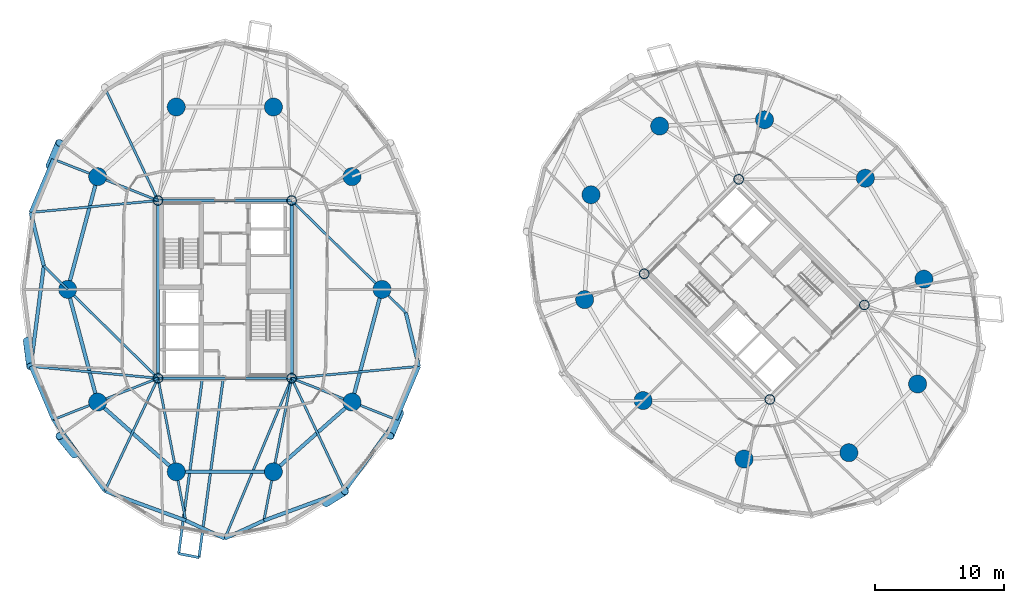
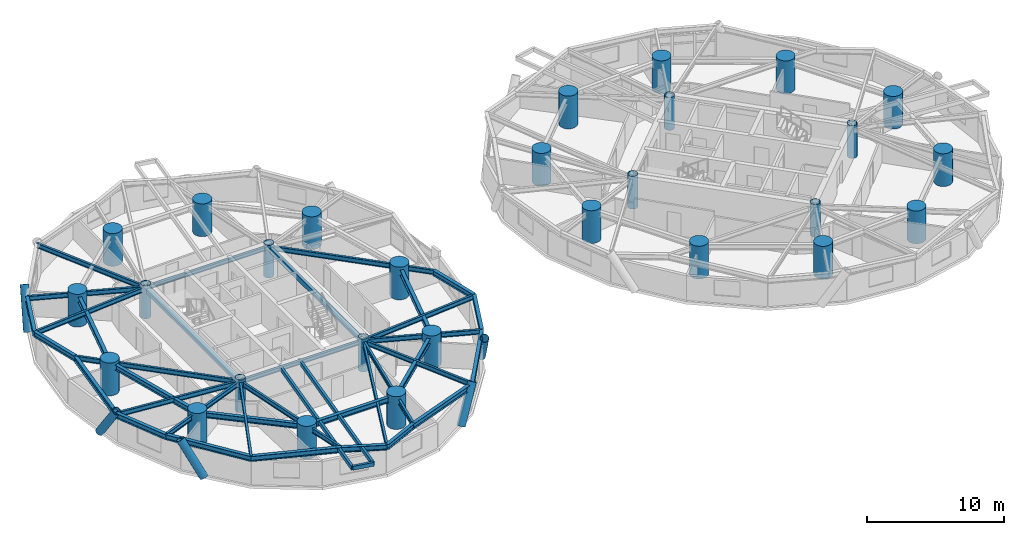
# One storey, part 1 of 17: 40 beams, 28 columns, 5 members.
"""IFC4 building model written with IfcOpenShell, lengths in metres."""

from ifc_helpers import new_model, si_unit, direction, frame, origin, origin_2d, place, context, subcontext, project, spatial, hollow_rectangle, circle, hollow_circle, i_section, extrude, material, material_profile, profile_set, type_object, element, save


model = new_model("IFC4")

# Units and contexts
model_context = context("Model", 3, precision=1e-05, world=origin(), true_north=direction((0.0, 1.0)))
body_context = subcontext(model_context, "Body", "Model", "MODEL_VIEW")
ifc_project = project(units=[si_unit("LENGTHUNIT", "METRE"), si_unit("AREAUNIT", "SQUARE_METRE"), si_unit("VOLUMEUNIT", "CUBIC_METRE"), si_unit("PLANEANGLEUNIT", "RADIAN"), si_unit("MASSUNIT", "GRAM", prefix="KILO")], contexts=[model_context])

# Site, building, storey
site_placement = place(None, origin())
site = spatial("IfcSite", under=ifc_project, at=site_placement, CompositionType="ELEMENT")
building_placement = place(site_placement, origin())
building = spatial("IfcBuilding", under=site, at=building_placement, Name="Cununo Teusaquillo Station Towers", CompositionType="ELEMENT")
storey_placement = place(building_placement, frame((0.0, 0.0, 81.7900390625)))
storey = spatial("IfcBuildingStorey", under=building, at=storey_placement, Name="L25", CompositionType="ELEMENT", Elevation=81.7900390625)

# Columns
ifc_material_1 = material(Name="Steel EN 10025-2 S355J2", Category="steel")
ifc_material_profile_1 = material_profile(ifc_material_1, hollow_circle(Radius=0.3798828125, WallThickness=0.031982421875, at=origin_2d()), Name="CHS 760x32")
ifc_profile_set_1 = profile_set([ifc_material_profile_1], Name="Steel EN 10025-2 S355J2")
column_type_1 = type_object("IfcColumnType", Name="COL-CORE-Z2", PredefinedType="COLUMN", material=ifc_profile_set_1)
for number, where, z_axis, x_axis, name in (
    (1, (11.324951171875, 17.6201171875, 0.0), (0.0, 0.0, 1.0), (1.0, 0.0, 0.0), "L25 Tower A Core Column 1"),
    (2, (11.324951171875, 31.3798828125, 0.0), (0.0, 0.0, 1.0), (1.0, 0.0, 0.0), "L25 Tower A Core Column 2"),
    (3, (21.675048828125, 17.6201171875, 0.0), (0.0, 0.0, 1.0), (1.0, 0.0, 0.0), "L25 Tower A Core Column 3"),
    (4, (21.675048828125, 31.3798828125, 0.0), (0.0, 0.0, 1.0), (1.0, 0.0, 0.0), "L25 Tower A Core Column 4"),
    (5, (58.70556640625, 15.975830078125, 0.0), (0.0, 0.0, 1.0), (0.707106781187, 0.707106781187, 0.0), "L25 Tower B Core Column 1"),
    (6, (48.975830078125, 25.70556640625, 0.0), (0.0, 0.0, 1.0), (0.707106781187, 0.707106781187, 0.0), "L25 Tower B Core Column 2"),
    (7, (66.024169921875, 23.29443359375, 0.0), (0.0, 0.0, 1.0), (0.707106781187, 0.707106781187, 0.0), "L25 Tower B Core Column 3"),
    (8, (56.29443359375, 33.024169921875, 0.0), (0.0, 0.0, 1.0), (0.707106781187, 0.707106781187, 0.0), "L25 Tower B Core Column 4"),
):
    element("IfcColumn", number, at=place(storey_placement, frame(where, z_axis=z_axis, x_axis=x_axis)), inside=storey, type_object=column_type_1, Name=name, PredefinedType="COLUMN", context=body_context, shape_type="SweptSolid", body=[
        extrude(hollow_circle(Radius=0.3798828125, WallThickness=0.031982421875, at=origin_2d()), origin(), (0.0, 0.0, 1.0), 2.909912109375),
    ])
ifc_material_2 = material(Name="Concrete C60/75", Category="concrete")
ifc_material_profile_2 = material_profile(ifc_material_2, circle(Radius=0.699951171875, at=origin_2d()), Name="RC-CIRC-1400")
ifc_profile_set_2 = profile_set([ifc_material_profile_2], Name="Concrete C60/75")
column_type_2 = type_object("IfcColumnType", Name="COL-MEGA-Z2", PredefinedType="USERDEFINED", material=ifc_profile_set_2)
for number, where, z_axis, x_axis, name in (
    (9, (28.672119140625, 24.5, 0.0), (0.0, 0.0, 1.0), (1.0, 0.0, 0.0), "L25 Tower A Perimeter Column V00"),
    (10, (26.347412109375, 33.228515625, 0.0), (0.0, 0.0, 1.0), (1.0, 0.0, 0.0), "L25 Tower A Perimeter Column V02"),
    (11, (20.261474609375, 38.623291015625, 0.0), (0.0, 0.0, 1.0), (1.0, 0.0, 0.0), "L25 Tower A Perimeter Column V04"),
    (12, (12.738525390625, 38.623291015625, 0.0), (0.0, 0.0, 1.0), (1.0, 0.0, 0.0), "L25 Tower A Perimeter Column V06"),
    (13, (6.652587890625, 33.228515625, 0.0), (0.0, 0.0, 1.0), (1.0, 0.0, 0.0), "L25 Tower A Perimeter Column V08"),
    (14, (4.327880859375, 24.5, 0.0), (0.0, 0.0, 1.0), (1.0, 0.0, 0.0), "L25 Tower A Perimeter Column V10"),
    (15, (6.652587890625, 15.771484375, 0.0), (0.0, 0.0, 1.0), (1.0, 0.0, 0.0), "L25 Tower A Perimeter Column V12"),
    (16, (12.738525390625, 10.376708984375, 0.0), (0.0, 0.0, 1.0), (1.0, 0.0, 0.0), "L25 Tower A Perimeter Column V14"),
    (17, (20.261474609375, 10.376708984375, 0.0), (0.0, 0.0, 1.0), (1.0, 0.0, 0.0), "L25 Tower A Perimeter Column V16"),
    (18, (26.347412109375, 15.771484375, 0.0), (0.0, 0.0, 1.0), (1.0, 0.0, 0.0), "L25 Tower A Perimeter Column V18"),
    (19, (66.10693359375, 33.10693359375, 0.0), (0.0, 0.0, 1.0), (1.0, 0.0, 0.0), "L25 Tower B Perimeter Column V00"),
    (20, (58.291015625, 37.63525390625, 0.0), (0.0, 0.0, 1.0), (1.0, 0.0, 0.0), "L25 Tower B Perimeter Column V02"),
    (21, (50.173095703125, 37.146240234375, 0.0), (0.0, 0.0, 1.0), (1.0, 0.0, 0.0), "L25 Tower B Perimeter Column V04"),
    (22, (44.853759765625, 31.826904296875, 0.0), (0.0, 0.0, 1.0), (1.0, 0.0, 0.0), "L25 Tower B Perimeter Column V06"),
    (23, (44.36474609375, 23.708984375, 0.0), (0.0, 0.0, 1.0), (1.0, 0.0, 0.0), "L25 Tower B Perimeter Column V08"),
    (24, (48.89306640625, 15.89306640625, 0.0), (0.0, 0.0, 1.0), (1.0, 0.0, 0.0), "L25 Tower B Perimeter Column V10"),
    (25, (56.708984375, 11.36474609375, 0.0), (0.0, 0.0, 1.0), (1.0, 0.0, 0.0), "L25 Tower B Perimeter Column V12"),
    (26, (64.826904296875, 11.853759765625, 0.0), (0.0, 0.0, 1.0), (1.0, 0.0, 0.0), "L25 Tower B Perimeter Column V14"),
    (27, (70.146240234375, 17.173095703125, 0.0), (0.0, 0.0, 1.0), (1.0, 0.0, 0.0), "L25 Tower B Perimeter Column V16"),
    (28, (70.63525390625, 25.291015625, 0.0), (0.0, 0.0, 1.0), (1.0, 0.0, 0.0), "L25 Tower B Perimeter Column V18"),
):
    element("IfcColumn", number, at=place(storey_placement, frame(where, z_axis=z_axis, x_axis=x_axis)), inside=storey, type_object=column_type_2, Name=name, ObjectType="MEGA COLUMN", PredefinedType="USERDEFINED", context=body_context, shape_type="SweptSolid", body=[
        extrude(circle(Radius=0.699951171875, at=origin_2d()), origin(), (0.0, 0.0, 1.0), 2.909912109375),
    ])

# Beams
ifc_material_3 = material(Name="Steel EN 10025-2 S355J2", Category="steel")
ifc_material_profile_3 = material_profile(ifc_material_3, hollow_rectangle(XDim=0.199951171875, YDim=0.35009765625, WallThickness=0.013916015625, at=origin_2d()), Name="RHS 350x200x14")
ifc_profile_set_3 = profile_set([ifc_material_profile_3], Name="Steel EN 10025-2 S355J2")
beam_type_1 = type_object("IfcBeamType", Name="BM-BAL-CANT", PredefinedType="BEAM", material=ifc_profile_set_3)
beam_1_placement = place(storey_placement, frame((14.793701171875, 17.85009765625, 2.494873046875), z_axis=(-0.133960678738, -0.990986648019, 0.0), x_axis=(0.990986648019, -0.133960678738, 0.0)))
element("IfcBeam", 29, at=beam_1_placement, inside=storey, type_object=beam_type_1, Name="L25 Tower A Balcony Cantilever Bracket 2A", PredefinedType="BEAM", context=body_context, shape_type="SweptSolid", body=[
    extrude(hollow_rectangle(XDim=0.199951171875, YDim=0.35009765625, WallThickness=0.013916015625, at=origin_2d()), origin(), (0.0, 0.0, 1.0), 13.9345703125),
])
beam_2_placement = place(storey_placement, frame((16.40869140625, 17.85009765625, 2.494873046875), z_axis=(-0.133936551357, -0.990989909237, 0.0), x_axis=(0.990989909237, -0.133936551357, 0.0)))
element("IfcBeam", 30, at=beam_2_placement, inside=storey, type_object=beam_type_1, Name="L25 Tower A Balcony Cantilever Bracket 2B", PredefinedType="BEAM", context=body_context, shape_type="SweptSolid", body=[
    extrude(hollow_rectangle(XDim=0.199951171875, YDim=0.35009765625, WallThickness=0.013916015625, at=origin_2d()), origin(), (0.0, 0.0, 1.0), 14.24169921875),
])
ifc_material_4 = material(Name="Steel EN 10025-2 S355J2", Category="steel")
ifc_material_profile_4 = material_profile(ifc_material_4, hollow_rectangle(XDim=0.25, YDim=0.449951171875, WallThickness=0.01611328125, at=origin_2d()), Name="RHS 450x250x16")
ifc_profile_set_4 = profile_set([ifc_material_profile_4], Name="Steel EN 10025-2 S355J2")
beam_type_2 = type_object("IfcBeamType", Name="BM-COUP-1", PredefinedType="USERDEFINED", material=ifc_profile_set_4)
for number, where, z_axis, x_axis, name in (
    (31, (11.324951171875, 17.6201171875, 2.445068359375), (0.0, 1.0, 0.0), (-1.0, 0.0, 0.0), "L25 Tower A Core Beam 1"),
    (32, (21.675048828125, 17.6201171875, 2.445068359375), (0.0, 1.0, 0.0), (-1.0, 0.0, 0.0), "L25 Tower A Core Beam 2"),
):
    element("IfcBeam", number, at=place(storey_placement, frame(where, z_axis=z_axis, x_axis=x_axis)), inside=storey, type_object=beam_type_2, Name=name, ObjectType="COUPLING BEAM", PredefinedType="USERDEFINED", context=body_context, shape_type="SweptSolid", body=[
        extrude(hollow_rectangle(XDim=0.25, YDim=0.449951171875, WallThickness=0.01611328125, at=origin_2d()), origin(), (0.0, 0.0, 1.0), 13.759765625),
    ])
ifc_material_5 = material(Name="Steel ASTM A572 Grade 50", Category="steel")
ifc_material_profile_5 = material_profile(ifc_material_5, i_section(OverallWidth=0.180908203125, OverallDepth=0.4169921875, WebThickness=0.010986328125, FlangeThickness=0.018310546875, FilletRadius=0.012939453125, at=origin_2d()), Name="W16X57")
ifc_profile_set_5 = profile_set([ifc_material_profile_5], Name="Steel ASTM A572 Grade 50")
beam_type_3 = type_object("IfcBeamType", Name="BM-JOIST-1", PredefinedType="JOIST", material=ifc_profile_set_5)
beam_3_placement = place(storey_placement, frame((11.324951171875, 31.3798828125, 2.46142578125), z_axis=(-0.426319838016, 0.904572493344, 0.0), x_axis=(-0.904572493344, -0.426319838016, 0.0)))
element("IfcBeam", 33, at=beam_3_placement, inside=storey, type_object=beam_type_3, Name="L25 Tower A Radial Spandrel Joist V07", PredefinedType="JOIST", context=body_context, shape_type="SweptSolid", body=[
    extrude(i_section(OverallWidth=0.180908203125, OverallDepth=0.4169921875, WebThickness=0.010986328125, FlangeThickness=0.018310546875, FilletRadius=0.012939453125, at=origin_2d()), origin(), (0.0, 0.0, 1.0), 9.646728515625),
])
for number, where, z_axis, x_axis, name in (
    (34, (11.324951171875, 31.3798828125, 2.46142578125), (-0.995678537907, -0.09286683558, 0.0), (0.09286683558, -0.995678537907, 0.0), "L25 Tower A Radial Spandrel Joist V09"),
    (35, (11.324951171875, 17.6201171875, 2.46142578125), (-0.995678537907, 0.09286683558, 0.0), (-0.09286683558, -0.995678537907, 0.0), "L25 Tower A Radial Spandrel Joist V11"),
):
    element("IfcBeam", number, at=place(storey_placement, frame(where, z_axis=z_axis, x_axis=x_axis)), inside=storey, type_object=beam_type_3, Name=name, PredefinedType="JOIST", context=body_context, shape_type="SweptSolid", body=[
        extrude(i_section(OverallWidth=0.180908203125, OverallDepth=0.4169921875, WebThickness=0.010986328125, FlangeThickness=0.018310546875, FilletRadius=0.012939453125, at=origin_2d()), origin(), (0.0, 0.0, 1.0), 9.895263671875),
    ])
beam_4_placement = place(storey_placement, frame((11.324951171875, 17.6201171875, 2.46142578125), z_axis=(-0.426319838016, -0.904572493344, 0.0), x_axis=(0.904572493344, -0.426319838016, 0.0)))
element("IfcBeam", 36, at=beam_4_placement, inside=storey, type_object=beam_type_3, Name="L25 Tower A Radial Spandrel Joist V13", PredefinedType="JOIST", context=body_context, shape_type="SweptSolid", body=[
    extrude(i_section(OverallWidth=0.180908203125, OverallDepth=0.4169921875, WebThickness=0.010986328125, FlangeThickness=0.018310546875, FilletRadius=0.012939453125, at=origin_2d()), origin(), (0.0, 0.0, 1.0), 9.646728515625),
])
beam_5_placement = place(storey_placement, frame((21.675048828125, 17.6201171875, 2.46142578125), z_axis=(-0.38487837995, -0.922967297713, 0.0), x_axis=(0.922967297713, -0.38487837995, 0.0)))
element("IfcBeam", 37, at=beam_5_placement, inside=storey, type_object=beam_type_3, Name="L25 Tower A Radial Spandrel Joist V15", PredefinedType="JOIST", context=body_context, shape_type="SweptSolid", body=[
    extrude(i_section(OverallWidth=0.180908203125, OverallDepth=0.4169921875, WebThickness=0.010986328125, FlangeThickness=0.018310546875, FilletRadius=0.012939453125, at=origin_2d()), origin(), (0.0, 0.0, 1.0), 13.446044921875),
])
beam_6_placement = place(storey_placement, frame((21.675048828125, 17.6201171875, 2.46142578125), z_axis=(0.426319838016, -0.904572493344, 0.0), x_axis=(0.904572493344, 0.426319838016, 0.0)))
element("IfcBeam", 38, at=beam_6_placement, inside=storey, type_object=beam_type_3, Name="L25 Tower A Radial Spandrel Joist V17", PredefinedType="JOIST", context=body_context, shape_type="SweptSolid", body=[
    extrude(i_section(OverallWidth=0.180908203125, OverallDepth=0.4169921875, WebThickness=0.010986328125, FlangeThickness=0.018310546875, FilletRadius=0.012939453125, at=origin_2d()), origin(), (0.0, 0.0, 1.0), 9.646728515625),
])
beam_7_placement = place(storey_placement, frame((21.675048828125, 17.6201171875, 2.46142578125), z_axis=(0.995678537907, 0.09286683558, 0.0), x_axis=(-0.09286683558, 0.995678537907, 0.0)))
element("IfcBeam", 39, at=beam_7_placement, inside=storey, type_object=beam_type_3, Name="L25 Tower A Radial Spandrel Joist V19", PredefinedType="JOIST", context=body_context, shape_type="SweptSolid", body=[
    extrude(i_section(OverallWidth=0.180908203125, OverallDepth=0.4169921875, WebThickness=0.010986328125, FlangeThickness=0.018310546875, FilletRadius=0.012939453125, at=origin_2d()), origin(), (0.0, 0.0, 1.0), 9.895263671875),
])
ifc_material_6 = material(Name="Steel ASTM A572 Grade 50", Category="steel")
ifc_material_profile_6 = material_profile(ifc_material_6, i_section(OverallWidth=0.2041015625, OverallDepth=0.35009765625, WebThickness=0.008544921875, FlangeThickness=0.01513671875, FilletRadius=0.011962890625, at=origin_2d()), Name="W14X48")
ifc_profile_set_6 = profile_set([ifc_material_profile_6], Name="Steel ASTM A572 Grade 50")
beam_type_4 = type_object("IfcBeamType", Name="BM-LINTEL-1", PredefinedType="LINTEL", material=ifc_profile_set_6)
for number, where, z_axis, x_axis, name in (
    (40, (11.324951171875, 17.6201171875, 2.494873046875), (1.0, 0.0, 0.0), (0.0, 1.0, 0.0), "L25 Tower A Core Beam 3"),
    (41, (11.324951171875, 31.3798828125, 2.494873046875), (1.0, 0.0, 0.0), (0.0, 1.0, 0.0), "L25 Tower A Core Beam 4"),
):
    element("IfcBeam", number, at=place(storey_placement, frame(where, z_axis=z_axis, x_axis=x_axis)), inside=storey, type_object=beam_type_4, Name=name, PredefinedType="LINTEL", context=body_context, shape_type="SweptSolid", body=[
        extrude(i_section(OverallWidth=0.2041015625, OverallDepth=0.35009765625, WebThickness=0.008544921875, FlangeThickness=0.01513671875, FilletRadius=0.011962890625, at=origin_2d()), origin(), (0.0, 0.0, 1.0), 10.35009765625),
    ])
ifc_material_7 = material(Name="Steel ASTM A572 Grade 50", Category="steel")
ifc_material_profile_7 = material_profile(ifc_material_7, i_section(OverallWidth=0.180908203125, OverallDepth=0.4169921875, WebThickness=0.010986328125, FlangeThickness=0.018310546875, FilletRadius=0.012939453125, at=origin_2d()), Name="W16X57")
ifc_profile_set_7 = profile_set([ifc_material_profile_7], Name="Steel ASTM A572 Grade 50")
beam_type_5 = type_object("IfcBeamType", Name="BM-RAD-G2", PredefinedType="BEAM", material=ifc_profile_set_7)
beam_8_placement = place(storey_placement, frame((21.675048828125, 31.3798828125, 2.46142578125), z_axis=(0.713047137857, -0.701116095375, 0.0), x_axis=(0.701116095375, 0.713047137857, 0.0)))
element("IfcBeam", 42, at=beam_8_placement, inside=storey, type_object=beam_type_5, Name="L25 Tower A Continuous Overhanging Radial Girder 01", PredefinedType="BEAM", context=body_context, shape_type="SweptSolid", body=[
    extrude(i_section(OverallWidth=0.180908203125, OverallDepth=0.4169921875, WebThickness=0.010986328125, FlangeThickness=0.018310546875, FilletRadius=0.012939453125, at=origin_2d()), origin(), (0.0, 0.0, 1.0), 12.400390625),
])
beam_9_placement = place(storey_placement, frame((11.324951171875, 31.3798828125, 2.46142578125), z_axis=(-0.929863123823, 0.367905654963, 0.0), x_axis=(-0.367905654963, -0.929863123823, 0.0)))
element("IfcBeam", 43, at=beam_9_placement, inside=storey, type_object=beam_type_5, Name="L25 Tower A Continuous Overhanging Radial Girder 05", PredefinedType="BEAM", context=body_context, shape_type="SweptSolid", body=[
    extrude(i_section(OverallWidth=0.180908203125, OverallDepth=0.4169921875, WebThickness=0.010986328125, FlangeThickness=0.018310546875, FilletRadius=0.012939453125, at=origin_2d()), origin(), (0.0, 0.0, 1.0), 8.715087890625),
])
beam_10_placement = place(storey_placement, frame((11.324951171875, 17.6201171875, 2.46142578125), z_axis=(-0.713052701438, 0.701110437073, 0.0), x_axis=(-0.701110437073, -0.713052701438, 0.0)))
element("IfcBeam", 44, at=beam_10_placement, inside=storey, type_object=beam_type_5, Name="L25 Tower A Radial Girder 06A", PredefinedType="BEAM", context=body_context, shape_type="SweptSolid", body=[
    extrude(i_section(OverallWidth=0.180908203125, OverallDepth=0.4169921875, WebThickness=0.010986328125, FlangeThickness=0.018310546875, FilletRadius=0.012939453125, at=origin_2d()), origin(), (0.0, 0.0, 1.0), 9.812744140625),
])
beam_11_placement = place(storey_placement, frame((4.327880859375, 24.5, 2.46142578125), z_axis=(-0.7130260383, 0.701137553342, 0.0), x_axis=(-0.701137553342, -0.7130260383, 0.0)))
element("IfcBeam", 45, at=beam_11_placement, inside=storey, type_object=beam_type_5, Name="L25 Tower A Perimeter Overhang Girder 06B", PredefinedType="BEAM", context=body_context, shape_type="SweptSolid", body=[
    extrude(i_section(OverallWidth=0.180908203125, OverallDepth=0.4169921875, WebThickness=0.010986328125, FlangeThickness=0.018310546875, FilletRadius=0.012939453125, at=origin_2d()), origin(), (0.0, 0.0, 1.0), 2.58740234375),
])
beam_12_placement = place(storey_placement, frame((11.324951171875, 17.6201171875, 2.46142578125), z_axis=(-0.929863123823, -0.367905654963, 0.0), x_axis=(0.367905654963, -0.929863123823, 0.0)))
element("IfcBeam", 46, at=beam_12_placement, inside=storey, type_object=beam_type_5, Name="L25 Tower A Continuous Overhanging Radial Girder 07", PredefinedType="BEAM", context=body_context, shape_type="SweptSolid", body=[
    extrude(i_section(OverallWidth=0.180908203125, OverallDepth=0.4169921875, WebThickness=0.010986328125, FlangeThickness=0.018310546875, FilletRadius=0.012939453125, at=origin_2d()), origin(), (0.0, 0.0, 1.0), 8.715087890625),
])
for number, where, z_axis, x_axis, name in (
    (47, (11.324951171875, 17.6201171875, 2.46142578125), (0.191552755713, -0.981482318628, 0.0), (0.981482318628, 0.191552755713, 0.0), "L25 Tower A Continuous Overhanging Radial Girder 08"),
    (48, (21.675048828125, 17.6201171875, 2.46142578125), (-0.191552755713, -0.981482318628, 0.0), (0.981482318628, -0.191552755713, 0.0), "L25 Tower A Continuous Overhanging Radial Girder 09"),
):
    element("IfcBeam", number, at=place(storey_placement, frame(where, z_axis=z_axis, x_axis=x_axis)), inside=storey, type_object=beam_type_5, Name=name, PredefinedType="BEAM", context=body_context, shape_type="SweptSolid", body=[
        extrude(i_section(OverallWidth=0.180908203125, OverallDepth=0.4169921875, WebThickness=0.010986328125, FlangeThickness=0.018310546875, FilletRadius=0.012939453125, at=origin_2d()), origin(), (0.0, 0.0, 1.0), 11.22998046875),
    ])
beam_13_placement = place(storey_placement, frame((21.675048828125, 17.6201171875, 2.46142578125), z_axis=(0.929863123823, -0.367905654963, 0.0), x_axis=(0.367905654963, 0.929863123823, 0.0)))
element("IfcBeam", 49, at=beam_13_placement, inside=storey, type_object=beam_type_5, Name="L25 Tower A Continuous Overhanging Radial Girder 10", PredefinedType="BEAM", context=body_context, shape_type="SweptSolid", body=[
    extrude(i_section(OverallWidth=0.180908203125, OverallDepth=0.4169921875, WebThickness=0.010986328125, FlangeThickness=0.018310546875, FilletRadius=0.012939453125, at=origin_2d()), origin(), (0.0, 0.0, 1.0), 8.715087890625),
])
ifc_material_8 = material(Name="Steel ASTM A572 Grade 50", Category="steel")
ifc_material_profile_8 = material_profile(ifc_material_8, i_section(OverallWidth=0.280029296875, OverallDepth=0.462890625, WebThickness=0.0107421875, FlangeThickness=0.017333984375, FilletRadius=0.013916015625, at=origin_2d()), Name="W18X76")
ifc_profile_set_8 = profile_set([ifc_material_profile_8], Name="Steel ASTM A572 Grade 50")
beam_type_6 = type_object("IfcBeamType", Name="BM-RING-Z2", PredefinedType="SPANDREL", material=ifc_profile_set_8)
for number, where, z_axis, x_axis, name in (
    (50, (6.652587890625, 33.228515625, 2.4384765625), (-0.257363196347, -0.966314744359, 0.0), (0.966314744359, -0.257363196347, 0.0), "L25 Tower A Structural Column Ring Girder 05"),
    (51, (4.327880859375, 24.5, 2.4384765625), (0.257363196347, -0.966314744359, 0.0), (0.966314744359, 0.257363196347, 0.0), "L25 Tower A Structural Column Ring Girder 06"),
):
    element("IfcBeam", number, at=place(storey_placement, frame(where, z_axis=z_axis, x_axis=x_axis)), inside=storey, type_object=beam_type_6, Name=name, PredefinedType="SPANDREL", context=body_context, shape_type="SweptSolid", body=[
        extrude(i_section(OverallWidth=0.280029296875, OverallDepth=0.462890625, WebThickness=0.0107421875, FlangeThickness=0.017333984375, FilletRadius=0.013916015625, at=origin_2d()), origin(), (0.0, 0.0, 1.0), 9.03271484375),
    ])
beam_14_placement = place(storey_placement, frame((6.652587890625, 15.771484375, 2.4384765625), z_axis=(0.74832120039, -0.66333655187, 0.0), x_axis=(0.66333655187, 0.74832120039, 0.0)))
element("IfcBeam", 52, at=beam_14_placement, inside=storey, type_object=beam_type_6, Name="L25 Tower A Structural Column Ring Girder 07", PredefinedType="SPANDREL", context=body_context, shape_type="SweptSolid", body=[
    extrude(i_section(OverallWidth=0.280029296875, OverallDepth=0.462890625, WebThickness=0.0107421875, FlangeThickness=0.017333984375, FilletRadius=0.013916015625, at=origin_2d()), origin(), (0.0, 0.0, 1.0), 8.1328125),
])
beam_15_placement = place(storey_placement, frame((12.738525390625, 10.376708984375, 2.4384765625), z_axis=(1.0, 0.0, 0.0), x_axis=(0.0, 1.0, 0.0)))
element("IfcBeam", 53, at=beam_15_placement, inside=storey, type_object=beam_type_6, Name="L25 Tower A Structural Column Ring Girder 08", PredefinedType="SPANDREL", context=body_context, shape_type="SweptSolid", body=[
    extrude(i_section(OverallWidth=0.280029296875, OverallDepth=0.462890625, WebThickness=0.0107421875, FlangeThickness=0.017333984375, FilletRadius=0.013916015625, at=origin_2d()), origin(), (0.0, 0.0, 1.0), 7.52294921875),
])
beam_16_placement = place(storey_placement, frame((20.261474609375, 10.376708984375, 2.4384765625), z_axis=(0.74832120039, 0.66333655187, 0.0), x_axis=(-0.66333655187, 0.74832120039, 0.0)))
element("IfcBeam", 54, at=beam_16_placement, inside=storey, type_object=beam_type_6, Name="L25 Tower A Structural Column Ring Girder 09", PredefinedType="SPANDREL", context=body_context, shape_type="SweptSolid", body=[
    extrude(i_section(OverallWidth=0.280029296875, OverallDepth=0.462890625, WebThickness=0.0107421875, FlangeThickness=0.017333984375, FilletRadius=0.013916015625, at=origin_2d()), origin(), (0.0, 0.0, 1.0), 8.1328125),
])
beam_17_placement = place(storey_placement, frame((26.347412109375, 15.771484375, 2.4384765625), z_axis=(0.257363196347, 0.966314744359, 0.0), x_axis=(-0.966314744359, 0.257363196347, 0.0)))
element("IfcBeam", 55, at=beam_17_placement, inside=storey, type_object=beam_type_6, Name="L25 Tower A Structural Column Ring Girder 10", PredefinedType="SPANDREL", context=body_context, shape_type="SweptSolid", body=[
    extrude(i_section(OverallWidth=0.280029296875, OverallDepth=0.462890625, WebThickness=0.0107421875, FlangeThickness=0.017333984375, FilletRadius=0.013916015625, at=origin_2d()), origin(), (0.0, 0.0, 1.0), 9.03271484375),
])
beam_18_placement = place(storey_placement, frame((3.22119140625, 34.586181640625, 2.4384765625), z_axis=(-0.390299356049, -0.920688010494, 0.0), x_axis=(0.920688010494, -0.390299356049, 0.0)))
element("IfcBeam", 56, at=beam_18_placement, inside=storey, type_object=beam_type_6, Name="L25 Tower A Spandrel Ring Beam 09", PredefinedType="SPANDREL", context=body_context, shape_type="SweptSolid", body=[
    extrude(i_section(OverallWidth=0.280029296875, OverallDepth=0.462890625, WebThickness=0.0107421875, FlangeThickness=0.017333984375, FilletRadius=0.013916015625, at=origin_2d()), origin(), (0.0, 0.0, 1.0), 4.480712890625),
])
beam_19_placement = place(storey_placement, frame((1.472412109375, 30.4609375, 2.4384765625), z_axis=(0.236757334703, -0.971568816124, 0.0), x_axis=(0.971568816124, 0.236757334703, 0.0)))
element("IfcBeam", 57, at=beam_19_placement, inside=storey, type_object=beam_type_6, Name="L25 Tower A Spandrel Ring Beam 10", PredefinedType="SPANDREL", context=body_context, shape_type="SweptSolid", body=[
    extrude(i_section(OverallWidth=0.280029296875, OverallDepth=0.462890625, WebThickness=0.0107421875, FlangeThickness=0.017333984375, FilletRadius=0.013916015625, at=origin_2d()), origin(), (0.0, 0.0, 1.0), 4.26806640625),
])
beam_20_placement = place(storey_placement, frame((2.48291015625, 26.314208984375, 2.4384765625), z_axis=(-0.12888124113, -0.991660035337, 0.0), x_axis=(0.991660035337, -0.12888124113, 0.0)))
element("IfcBeam", 58, at=beam_20_placement, inside=storey, type_object=beam_type_6, Name="L25 Tower A Spandrel Ring Beam 11", PredefinedType="SPANDREL", context=body_context, shape_type="SweptSolid", body=[
    extrude(i_section(OverallWidth=0.280029296875, OverallDepth=0.462890625, WebThickness=0.0107421875, FlangeThickness=0.017333984375, FilletRadius=0.013916015625, at=origin_2d()), origin(), (0.0, 0.0, 1.0), 7.840576171875),
])
beam_21_placement = place(storey_placement, frame((1.472412109375, 18.5390625, 2.4384765625), z_axis=(0.390299356049, -0.920688010494, 0.0), x_axis=(0.920688010494, 0.390299356049, 0.0)))
element("IfcBeam", 59, at=beam_21_placement, inside=storey, type_object=beam_type_6, Name="L25 Tower A Spandrel Ring Beam 12", PredefinedType="SPANDREL", context=body_context, shape_type="SweptSolid", body=[
    extrude(i_section(OverallWidth=0.280029296875, OverallDepth=0.462890625, WebThickness=0.0107421875, FlangeThickness=0.017333984375, FilletRadius=0.013916015625, at=origin_2d()), origin(), (0.0, 0.0, 1.0), 4.480712890625),
])
beam_22_placement = place(storey_placement, frame((3.22119140625, 14.413818359375, 2.4384765625), z_axis=(0.58594455724, -0.810351143543, 0.0), x_axis=(0.810351143543, 0.58594455724, 0.0)))
element("IfcBeam", 60, at=beam_22_placement, inside=storey, type_object=beam_type_6, Name="L25 Tower A Spandrel Ring Beam 13", PredefinedType="SPANDREL", context=body_context, shape_type="SweptSolid", body=[
    extrude(i_section(OverallWidth=0.280029296875, OverallDepth=0.462890625, WebThickness=0.0107421875, FlangeThickness=0.017333984375, FilletRadius=0.013916015625, at=origin_2d()), origin(), (0.0, 0.0, 1.0), 6.8115234375),
])
beam_23_placement = place(storey_placement, frame((7.21240234375, 8.89404296875, 2.4384765625), z_axis=(0.938914161016, -0.34415141761, 0.0), x_axis=(0.34415141761, 0.938914161016, 0.0)))
element("IfcBeam", 61, at=beam_23_placement, inside=storey, type_object=beam_type_6, Name="L25 Tower A Spandrel Ring Beam 14", PredefinedType="SPANDREL", context=body_context, shape_type="SweptSolid", body=[
    extrude(i_section(OverallWidth=0.280029296875, OverallDepth=0.462890625, WebThickness=0.0107421875, FlangeThickness=0.017333984375, FilletRadius=0.013916015625, at=origin_2d()), origin(), (0.0, 0.0, 1.0), 6.671142578125),
])
for number, where, z_axis, x_axis, name in (
    (62, (13.47607421875, 6.59814453125, 2.4384765625), (0.908812215281, -0.417205413862, 0.0), (0.417205413862, 0.908812215281, 0.0), "L25 Tower A Spandrel Ring Beam 15"),
    (63, (16.5, 5.2099609375, 2.4384765625), (0.908812215281, 0.417205413862, 0.0), (-0.417205413862, 0.908812215281, 0.0), "L25 Tower A Spandrel Ring Beam 16"),
):
    element("IfcBeam", number, at=place(storey_placement, frame(where, z_axis=z_axis, x_axis=x_axis)), inside=storey, type_object=beam_type_6, Name=name, PredefinedType="SPANDREL", context=body_context, shape_type="SweptSolid", body=[
        extrude(i_section(OverallWidth=0.280029296875, OverallDepth=0.462890625, WebThickness=0.0107421875, FlangeThickness=0.017333984375, FilletRadius=0.013916015625, at=origin_2d()), origin(), (0.0, 0.0, 1.0), 3.327392578125),
    ])
beam_24_placement = place(storey_placement, frame((19.52392578125, 6.59814453125, 2.4384765625), z_axis=(0.938914161016, 0.34415141761, 0.0), x_axis=(-0.34415141761, 0.938914161016, 0.0)))
element("IfcBeam", 64, at=beam_24_placement, inside=storey, type_object=beam_type_6, Name="L25 Tower A Spandrel Ring Beam 17", PredefinedType="SPANDREL", context=body_context, shape_type="SweptSolid", body=[
    extrude(i_section(OverallWidth=0.280029296875, OverallDepth=0.462890625, WebThickness=0.0107421875, FlangeThickness=0.017333984375, FilletRadius=0.013916015625, at=origin_2d()), origin(), (0.0, 0.0, 1.0), 6.671142578125),
])
beam_25_placement = place(storey_placement, frame((25.78759765625, 8.89404296875, 2.4384765625), z_axis=(0.58594455724, 0.810351143543, 0.0), x_axis=(-0.810351143543, 0.58594455724, 0.0)))
element("IfcBeam", 65, at=beam_25_placement, inside=storey, type_object=beam_type_6, Name="L25 Tower A Spandrel Ring Beam 18", PredefinedType="SPANDREL", context=body_context, shape_type="SweptSolid", body=[
    extrude(i_section(OverallWidth=0.280029296875, OverallDepth=0.462890625, WebThickness=0.0107421875, FlangeThickness=0.017333984375, FilletRadius=0.013916015625, at=origin_2d()), origin(), (0.0, 0.0, 1.0), 6.8115234375),
])
beam_26_placement = place(storey_placement, frame((29.77880859375, 14.413818359375, 2.4384765625), z_axis=(0.390299356049, 0.920688010494, 0.0), x_axis=(-0.920688010494, 0.390299356049, 0.0)))
element("IfcBeam", 66, at=beam_26_placement, inside=storey, type_object=beam_type_6, Name="L25 Tower A Spandrel Ring Beam 19", PredefinedType="SPANDREL", context=body_context, shape_type="SweptSolid", body=[
    extrude(i_section(OverallWidth=0.280029296875, OverallDepth=0.462890625, WebThickness=0.0107421875, FlangeThickness=0.017333984375, FilletRadius=0.013916015625, at=origin_2d()), origin(), (0.0, 0.0, 1.0), 4.480712890625),
])
beam_27_placement = place(storey_placement, frame((31.527587890625, 18.5390625, 2.4384765625), z_axis=(-0.236757334703, 0.971568816124, 0.0), x_axis=(-0.971568816124, -0.236757334703, 0.0)))
element("IfcBeam", 67, at=beam_27_placement, inside=storey, type_object=beam_type_6, Name="L25 Tower A Spandrel Ring Beam 20", PredefinedType="SPANDREL", context=body_context, shape_type="SweptSolid", body=[
    extrude(i_section(OverallWidth=0.280029296875, OverallDepth=0.462890625, WebThickness=0.0107421875, FlangeThickness=0.017333984375, FilletRadius=0.013916015625, at=origin_2d()), origin(), (0.0, 0.0, 1.0), 4.26806640625),
])
ifc_material_9 = material(Name="Steel EN 10025-2 S355J2", Category="steel")
ifc_material_profile_9 = material_profile(ifc_material_9, hollow_rectangle(XDim=0.199951171875, YDim=0.35009765625, WallThickness=0.013916015625, at=origin_2d()), Name="RHS 350x200x14")
ifc_profile_set_9 = profile_set([ifc_material_profile_9], Name="Steel EN 10025-2 S355J2")
beam_type_7 = type_object("IfcBeamType", Name="BM-STAIR-TRIM", PredefinedType="BEAM", material=ifc_profile_set_9)
beam_28_placement = place(storey_placement, frame((12.927001953125, 4.041015625, 2.52490234375), z_axis=(0.981836621572, -0.189728354603, 0.0), x_axis=(0.189728354603, 0.981836621572, 0.0)))
element("IfcBeam", 68, at=beam_28_placement, inside=storey, type_object=beam_type_7, Name="L25 Tower A Balcony Edge Trimmer Beam 2", PredefinedType="BEAM", context=body_context, shape_type="SweptSolid", body=[
    extrude(hollow_rectangle(XDim=0.199951171875, YDim=0.35009765625, WallThickness=0.013916015625, at=origin_2d()), origin(), (0.0, 0.0, 1.0), 1.603271484375),
])

# Members
ifc_material_10 = material(Name="Steel EN 10025-2 S355J2", Category="steel")
ifc_material_profile_10 = material_profile(ifc_material_10, hollow_circle(Radius=0.330078125, WallThickness=0.02490234375, at=origin_2d()), Name="CHS 660x25")
ifc_profile_set_10 = profile_set([ifc_material_profile_10], Name="Steel EN 10025-2 S355J2")
member_type = type_object("IfcMemberType", Name="MBR-DIAG-Z2", PredefinedType="BRACE", material=ifc_profile_set_10)
member_1_placement = place(storey_placement, frame((2.968505859375, 34.0458984375, -0.14013671875), z_axis=(0.213867845781, 0.51230594575, 0.831747054392), x_axis=(-0.922816406816, 0.385240028179, 0.0)))
element("IfcMember", 69, at=member_1_placement, inside=storey, type_object=member_type, Name="L25 Tower A Folded-Zigzag Diagrid Tube C08", PredefinedType="BRACE", context=body_context, shape_type="SweptSolid", body=[
    extrude(hollow_circle(Radius=0.330078125, WallThickness=0.02490234375, at=origin_2d()), origin(), (0.0, 0.0, 1.0), 3.498779296875),
])
member_2_placement = place(storey_placement, frame((1.214599609375, 20.526123046875, -0.14013671875), z_axis=(0.072967432985, -0.562388197979, 0.823647538998), x_axis=(0.991687829619, 0.128667200894, 0.0)))
element("IfcMember", 70, at=member_2_placement, inside=storey, type_object=member_type, Name="L25 Tower A Folded-Zigzag Diagrid Tube C10", PredefinedType="BRACE", context=body_context, shape_type="SweptSolid", body=[
    extrude(hollow_circle(Radius=0.330078125, WallThickness=0.02490234375, at=origin_2d()), origin(), (0.0, 0.0, 1.0), 3.533203125),
])
member_3_placement = place(storey_placement, frame((4.8818359375, 11.739013671875, -0.14013671875), z_axis=(-0.338437747588, 0.413260007375, 0.845385153236), x_axis=(-0.773667352654, -0.633592003924, 0.0)))
element("IfcMember", 71, at=member_3_placement, inside=storey, type_object=member_type, Name="L25 Tower A Folded-Zigzag Diagrid Tube C12", PredefinedType="BRACE", context=body_context, shape_type="SweptSolid", body=[
    extrude(hollow_circle(Radius=0.330078125, WallThickness=0.02490234375, at=origin_2d()), origin(), (0.0, 0.0, 1.0), 3.4423828125),
])
member_4_placement = place(storey_placement, frame((24.3193359375, 7.980712890625, -0.14013671875), z_axis=(0.433741137774, 0.269808047292, 0.859693109789), x_axis=(-0.528195574716, 0.849122744278, 0.0)))
element("IfcMember", 72, at=member_4_placement, inside=storey, type_object=member_type, Name="L25 Tower A Folded-Zigzag Diagrid Tube C16", PredefinedType="BRACE", context=body_context, shape_type="SweptSolid", body=[
    extrude(hollow_circle(Radius=0.330078125, WallThickness=0.02490234375, at=origin_2d()), origin(), (0.0, 0.0, 1.0), 3.385009765625),
])
member_5_placement = place(storey_placement, frame((30.031494140625, 14.9541015625, -0.14013671875), z_axis=(-0.213867845781, -0.51230594575, 0.831747054392), x_axis=(0.922816406816, -0.385240028179, 0.0)))
element("IfcMember", 73, at=member_5_placement, inside=storey, type_object=member_type, Name="L25 Tower A Folded-Zigzag Diagrid Tube C18", PredefinedType="BRACE", context=body_context, shape_type="SweptSolid", body=[
    extrude(hollow_circle(Radius=0.330078125, WallThickness=0.02490234375, at=origin_2d()), origin(), (0.0, 0.0, 1.0), 3.498779296875),
])

save(model, "model.ifc")
